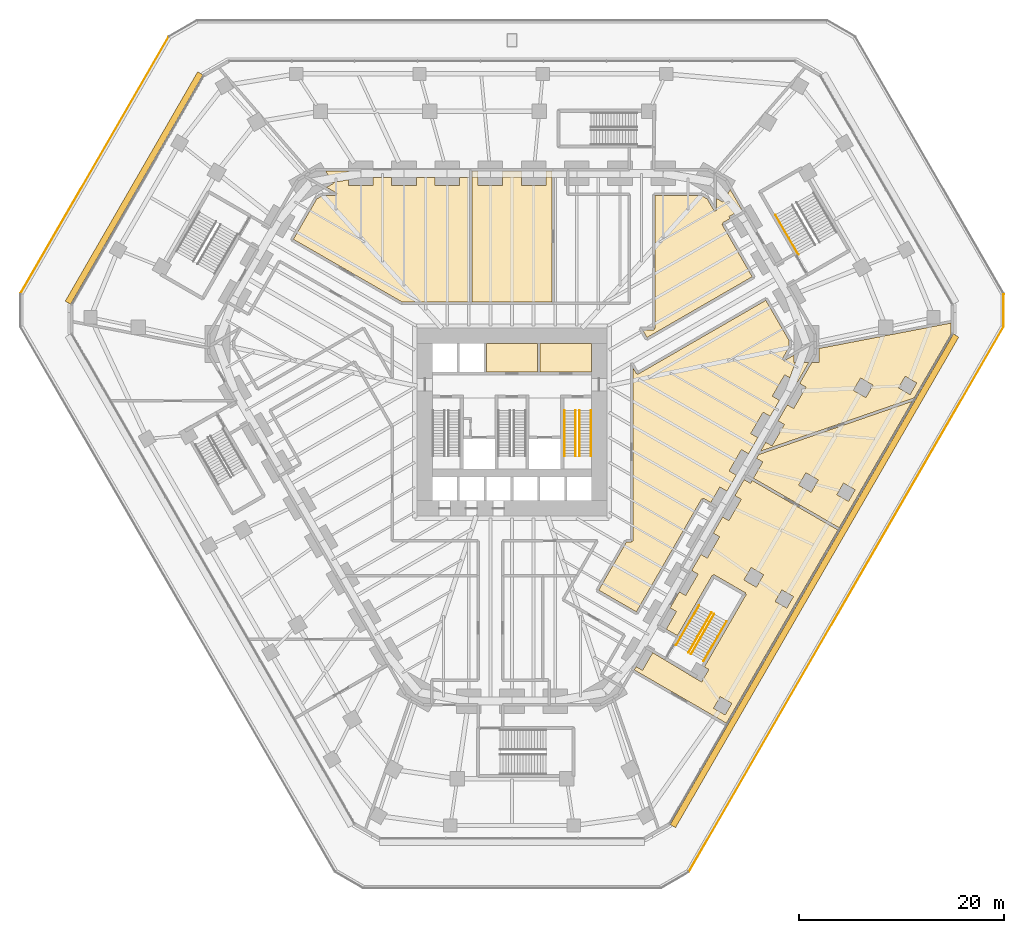
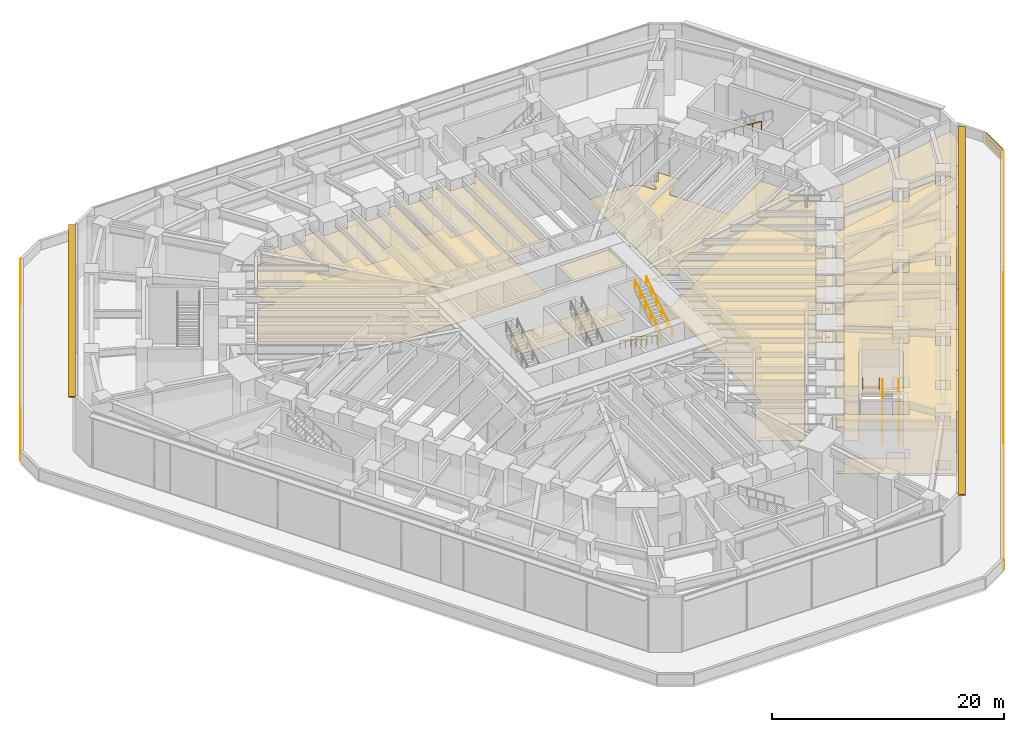
# One storey, part 24 of 25: 19 coverings, 9 railings, 2 shading devices.
"""IFC4 building model written with IfcOpenShell, lengths in metres."""

from ifc_helpers import new_model, si_unit, direction, frame, frame_2d, origin, origin_2d, place, context, subcontext, project, spatial, polyline, rectangle, circle, outline, extrude, material, layer, layer_set, type_object, element, save


model = new_model("IFC4")

# Units and contexts
model_context = context("Model", 3, precision=1e-05, world=origin(), true_north=direction((0.0, 1.0)))
body_context = subcontext(model_context, "Body", "Model", "MODEL_VIEW")
ifc_project = project(units=[si_unit("LENGTHUNIT", "METRE"), si_unit("AREAUNIT", "SQUARE_METRE"), si_unit("VOLUMEUNIT", "CUBIC_METRE"), si_unit("PLANEANGLEUNIT", "RADIAN"), si_unit("MASSUNIT", "GRAM", prefix="KILO")], contexts=[model_context])

# Site, building, storey
site_placement = place(None, origin())
site = spatial("IfcSite", under=ifc_project, at=site_placement, CompositionType="ELEMENT")
building_placement = place(site_placement, origin())
building = spatial("IfcBuilding", under=site, at=building_placement, Name="Sandreach Pilgrim Tower", CompositionType="ELEMENT")
storey_placement = place(building_placement, frame((0.0, 0.0, 6.0)))
storey = spatial("IfcBuildingStorey", under=building, at=storey_placement, Name="L01", CompositionType="ELEMENT", Elevation=6.0)

# Coverings
ifc_material_1 = material(Name="Acoustic mineral fibre tile ceiling on a suspension grid", Category="mineral")
ifc_layer_1 = layer(ifc_material_1, 0.02001953125)
ifc_layer_set_1 = layer_set([ifc_layer_1], Name="Acoustic mineral tile ceiling")
covering_type_1 = type_object("IfcCoveringType", Name="Acoustic mineral tile ceiling", PredefinedType="CEILING", material=ifc_layer_set_1)
covering_1_placement = place(storey_placement, frame((0.0, 0.0, 4.64990234375)))
element("IfcCovering", 1, at=covering_1_placement, inside=storey, type_object=covering_type_1, Name="Ceiling 01B2 Worshippers' foyer", PredefinedType="CEILING", context=body_context, shape_type="SweptSolid", body=[
    extrude(outline(polyline([(-15.934814453125, 22.072265625), (-15.934814453125, 21.48876953125), (-13.53466796875, 21.48876953125), (-13.53466796875, 22.288818359375), (-11.724853515625, 22.288818359375), (-11.724853515625, 21.48876953125), (-9.32470703125, 21.48876953125), (-9.32470703125, 22.288818359375), (-7.514892578125, 22.288818359375), (-7.514892578125, 21.48876953125), (-5.114990234375, 21.48876953125), (-5.114990234375, 22.288818359375), (-4.125, 22.288818359375), (-4.125, 10.14501953125), (-10.696533203125, 10.14501953125), (-21.309326171875, 16.265869140625), (-19.038330078125, 20.19873046875), (-18.476318359375, 20.52490234375), (-17.139892578125, 20.52490234375), (-17.07763671875, 20.75830078125), (-18.075439453125, 21.3330078125), (-17.447509765625, 21.695556640625), (-17.505859375, 21.796875), (-15.934814453125, 22.072265625)])), origin(), (0.0, 0.0, 1.0), 0.02001953125),
])
covering_2_placement = place(storey_placement, frame((0.0, 0.0, 4.60009765625)))
element("IfcCovering", 2, at=covering_2_placement, inside=storey, type_object=covering_type_1, Name="Ceiling 01B6 Quran library and reading room", PredefinedType="CEILING", context=body_context, shape_type="SweptSolid", body=[
    extrude(outline(polyline([(11.635009765625, -13.1201171875), (11.794921875, -13.1201171875), (11.794921875, 3.737548828125), (12.1220703125, 3.177001953125), (12.29248046875, 3.1318359375), (24.744140625, 10.3193359375), (27.014892578125, 6.386474609375), (27.014892578125, 5.74365234375), (26.341796875, 4.582763671875), (26.5126953125, 4.411865234375), (27.5126953125, 4.9912109375), (27.5126953125, 4.26220703125), (27.629638671875, 4.26220703125), (27.08251953125, 2.763671875), (26.5771484375, 3.055419921875), (25.377197265625, 0.97705078125), (26.070068359375, 0.5771484375), (25.1650390625, -0.990478515625), (24.47216796875, -0.59033203125), (23.272216796875, -2.6689453125), (23.965087890625, -3.06884765625), (23.06005859375, -4.63623046875), (22.3671875, -4.236328125), (21.167236328125, -6.314697265625), (21.860107421875, -6.71484375), (20.955078125, -8.2822265625), (20.26220703125, -7.882080078125), (19.3876953125, -9.39697265625), (18.662109375, -8.9814453125), (18.601318359375, -9.087890625), (18.49169921875, -9.027587890625), (12.124267578125, -20.04931640625), (8.45068359375, -17.93408203125), (11.15234375, -13.2451171875), (11.635009765625, -13.2451171875), (11.635009765625, -13.1201171875)])), origin(), (0.0, 0.0, 1.0), 0.02001953125),
])
ifc_material_2 = material(Name="Nylon carpet tile on the slab", Category="textile")
ifc_layer_2 = layer(ifc_material_2, 0.008056640625)
ifc_layer_set_2 = layer_set([ifc_layer_2], Name="Carpet tile")
covering_type_2 = type_object("IfcCoveringType", Name="Carpet tile", PredefinedType="FLOORING", material=ifc_layer_set_2)
covering_3_placement = place(storey_placement, origin())
element("IfcCovering", 3, at=covering_3_placement, inside=storey, type_object=covering_type_2, Name="Floor finish 0103 Pilgrim registration office", PredefinedType="FLOORING", context=body_context, shape_type="SweptSolid", body=[
    extrude(outline(polyline([(13.71142578125, -24.028564453125), (17.284912109375, -26.16357421875), (17.2744140625, -26.181884765625), (18.48681640625, -26.8818359375), (19.186767578125, -25.66943359375), (18.751953125, -25.418212890625), (22.805419921875, -18.397216796875), (22.75048828125, -18.1923828125), (19.719482421875, -16.4423828125), (19.695068359375, -16.484375), (19.60791015625, -16.435546875), (19.55712890625, -16.521728515625), (19.5146484375, -16.497314453125), (16.126708984375, -22.365234375), (15.037109375, -21.732421875), (16.02587890625, -20.019775390625), (15.409423828125, -19.6640625), (16.315185546875, -18.096923828125), (16.930908203125, -18.452392578125), (18.130859375, -16.3740234375), (17.515869140625, -16.01904296875), (18.420166015625, -14.451171875), (19.03564453125, -14.806640625), (20.23583984375, -12.72802734375), (19.619140625, -12.3720703125), (20.523193359375, -10.80419921875), (21.140625, -11.16064453125), (22.3408203125, -9.082275390625), (21.72216796875, -8.72509765625), (22.62646484375, -7.1572265625), (23.24560546875, -7.5146484375), (23.4052734375, -7.23828125), (31.7705078125, -12.068115234375), (20.896728515625, -30.902099609375), (11.913330078125, -25.7099609375), (12.10107421875, -25.386474609375), (12.720947265625, -25.744140625), (13.71142578125, -24.028564453125)]), holes=[polyline([(26.784423828125, -19.684326171875), (27.4345703125, -18.558349609375), (26.30859375, -17.908447265625), (25.65869140625, -19.0341796875), (26.784423828125, -19.684326171875)]), polyline([(24.521484375, -16.42919921875), (23.30908203125, -15.729248046875), (22.609130859375, -16.941650390625), (23.821533203125, -17.6416015625), (24.521484375, -16.42919921875)]), polyline([(20.77490234375, -30.09326171875), (21.4248046875, -28.967529296875), (20.299072265625, -28.3173828125), (19.64892578125, -29.443359375), (20.77490234375, -30.09326171875)])]), origin(), (0.0, 0.0, 1.0), 0.008056640625),
])
covering_4_placement = place(storey_placement, origin())
element("IfcCovering", 4, at=covering_4_placement, inside=storey, type_object=covering_type_2, Name="Floor finish 01R1 Imam's office", PredefinedType="FLOORING", context=body_context, shape_type="SweptSolid", body=[
    extrude(outline(polyline([(3.875, 10.14501953125), (-3.875, 10.14501953125), (-3.875, 22.925048828125), (-3.304931640625, 22.925048828125), (-3.304931640625, 21.48876953125), (-0.905029296875, 21.48876953125), (-0.905029296875, 22.925048828125), (0.905029296875, 22.925048828125), (0.905029296875, 21.48876953125), (3.304931640625, 21.48876953125), (3.304931640625, 22.925048828125), (3.875, 22.925048828125), (3.875, 10.14501953125)])), origin(), (0.0, 0.0, 1.0), 0.008056640625),
])
covering_5_placement = place(storey_placement, origin())
element("IfcCovering", 5, at=covering_5_placement, inside=storey, type_object=covering_type_2, Name="Floor finish 01B6 Quran library and reading room", PredefinedType="FLOORING", context=body_context, shape_type="SweptSolid", body=[
    extrude(outline(polyline([(11.635009765625, -13.1201171875), (11.794921875, -13.1201171875), (11.794921875, 3.737548828125), (12.1220703125, 3.177001953125), (12.29248046875, 3.1318359375), (24.744140625, 10.3193359375), (27.014892578125, 6.386474609375), (27.014892578125, 5.74365234375), (26.341796875, 4.582763671875), (26.5126953125, 4.411865234375), (27.5126953125, 4.9912109375), (27.5126953125, 4.26220703125), (28.934326171875, 4.26220703125), (27.821533203125, 2.337158203125), (26.5771484375, 3.055419921875), (25.377197265625, 0.97705078125), (26.620361328125, 0.25927734375), (25.714599609375, -1.3076171875), (24.47216796875, -0.59033203125), (23.272216796875, -2.6689453125), (24.513427734375, -3.385498046875), (23.849365234375, -4.5517578125), (23.6142578125, -4.956298828125), (22.3671875, -4.236328125), (21.167236328125, -6.314697265625), (22.409912109375, -7.0322265625), (21.505615234375, -8.60009765625), (20.26220703125, -7.882080078125), (19.3876953125, -9.39697265625), (18.662109375, -8.9814453125), (18.601318359375, -9.087890625), (18.49169921875, -9.027587890625), (12.124267578125, -20.04931640625), (8.45068359375, -17.93408203125), (11.15234375, -13.2451171875), (11.635009765625, -13.2451171875), (11.635009765625, -13.1201171875)])), origin(), (0.0, 0.0, 1.0), 0.008056640625),
])
covering_6_placement = place(storey_placement, origin())
element("IfcCovering", 6, at=covering_6_placement, inside=storey, type_object=covering_type_2, Name="Floor finish 01N4 Visa and documents interview office", PredefinedType="FLOORING", context=body_context, shape_type="SweptSolid", body=[
    extrude(outline(polyline([(25.3505859375, -3.868896484375), (26.550537109375, -1.790283203125), (25.93115234375, -1.4326171875), (26.8369140625, 0.13427734375), (27.45556640625, -0.222900390625), (28.655517578125, 1.85546875), (28.0380859375, 2.212158203125), (29.22314453125, 4.26220703125), (29.91259765625, 4.26220703125), (29.91259765625, 5.62451171875), (37.026611328125, 6.994384765625), (37.143310546875, 6.994384765625), (37.143310546875, 7.016845703125), (42.79541015625, 8.105224609375), (42.79541015625, 7.02734375), (39.20361328125, 0.80615234375), (24.2236328125, -4.38623046875), (24.72998046875, -3.510498046875), (25.3505859375, -3.868896484375)]), holes=[polyline([(39.453857421875, 2.259765625), (38.328125, 2.90966796875), (37.677978515625, 1.783935546875), (38.803955078125, 1.1337890625), (39.453857421875, 2.259765625)]), polyline([(35.191162109375, 2.051025390625), (33.978515625, 2.7509765625), (33.278564453125, 1.53857421875), (34.490966796875, 0.83837890625), (35.191162109375, 2.051025390625)])]), origin(), (0.0, 0.0, 1.0), 0.008056640625),
])
covering_7_placement = place(storey_placement, origin())
element("IfcCovering", 7, at=covering_7_placement, inside=storey, type_object=covering_type_2, Name="Floor finish 01N6 Registration records office", PredefinedType="FLOORING", context=body_context, shape_type="SweptSolid", body=[
    extrude(outline(polyline([(23.830810546875, -5.081298828125), (24.044677734375, -4.712890625), (39.0126953125, 0.475341796875), (31.8955078125, -11.8515625), (23.5302734375, -7.02197265625), (24.445556640625, -5.436279296875), (23.830810546875, -5.081298828125)]), holes=[polyline([(32.794189453125, -9.275146484375), (33.444091796875, -8.1494140625), (32.318359375, -7.49951171875), (31.66845703125, -8.625244140625), (32.794189453125, -9.275146484375)]), polyline([(29.15625, -8.401611328125), (29.856201171875, -7.189208984375), (28.643798828125, -6.4892578125), (27.94384765625, -7.70166015625), (29.15625, -8.401611328125)])]), origin(), (0.0, 0.0, 1.0), 0.008056640625),
])
covering_8_placement = place(storey_placement, origin())
element("IfcCovering", 8, at=covering_8_placement, inside=storey, type_object=covering_type_2, Name="Floor finish 01K2 IT room", PredefinedType="FLOORING", context=body_context, shape_type="SweptSolid", body=[
    extrude(outline(polyline([(2.75, 6.10009765625), (7.75, 6.10009765625), (7.75, 3.35009765625), (2.75, 3.35009765625), (2.75, 6.10009765625)])), origin(), (0.0, 0.0, 1.0), 0.008056640625),
])
ifc_material_3 = material(Name="Epoxy resin floor on the slab", Category="plastic")
ifc_layer_3 = layer(ifc_material_3, 0.00390625)
ifc_layer_set_3 = layer_set([ifc_layer_3], Name="Epoxy resin floor")
covering_type_3 = type_object("IfcCoveringType", Name="Epoxy resin floor", PredefinedType="FLOORING", material=ifc_layer_set_3)
covering_9_placement = place(storey_placement, origin())
element("IfcCovering", 9, at=covering_9_placement, inside=storey, type_object=covering_type_3, Name="Floor finish 01B1 Shoe store", PredefinedType="FLOORING", context=body_context, shape_type="SweptSolid", body=[
    extrude(outline(polyline([(13.830078125, 7.570068359375), (13.955078125, 7.570068359375), (13.955078125, 20.52490234375), (18.476318359375, 20.52490234375), (19.03857421875, 20.198486328125), (19.721923828125, 19.017333984375), (19.955078125, 19.080810546875), (19.948486328125, 20.251708984375), (20.565185546875, 19.8955078125), (21.273193359375, 21.121826171875), (22.392578125, 19.189453125), (21.148681640625, 18.47119140625), (21.254638671875, 18.287841796875), (20.525146484375, 17.866943359375), (20.56640625, 17.746337890625), (20.481689453125, 17.697509765625), (23.419189453125, 12.61572265625), (13.155517578125, 6.690673828125), (12.71728515625, 7.445068359375), (13.830078125, 7.445068359375), (13.830078125, 7.570068359375)])), origin(), (0.0, 0.0, 1.0), 0.00390625),
])
covering_10_placement = place(storey_placement, origin())
element("IfcCovering", 10, at=covering_10_placement, inside=storey, type_object=covering_type_3, Name="Floor finish 01K1 Mail and parcel store", PredefinedType="FLOORING", context=body_context, shape_type="SweptSolid", body=[
    extrude(outline(polyline([(-2.5, 6.10009765625), (2.5, 6.10009765625), (2.5, 3.35009765625), (-2.5, 3.35009765625), (-2.5, 6.10009765625)])), origin(), (0.0, 0.0, 1.0), 0.00390625),
])
ifc_material_4 = material(Name="Gypsum board suspended ceiling on a steel grid", Category="steel")
ifc_layer_4 = layer(ifc_material_4, 0.012939453125)
ifc_layer_set_4 = layer_set([ifc_layer_4], Name="Gypsum board suspended ceiling")
covering_type_4 = type_object("IfcCoveringType", Name="Gypsum board suspended ceiling", PredefinedType="CEILING", material=ifc_layer_set_4)
covering_11_placement = place(storey_placement, frame((0.0, 0.0, 4.64990234375)))
element("IfcCovering", 11, at=covering_11_placement, inside=storey, type_object=covering_type_4, Name="Ceiling 0103 Pilgrim registration office", PredefinedType="CEILING", context=body_context, shape_type="SweptSolid", body=[
    extrude(outline(polyline([(13.71142578125, -24.028564453125), (17.284912109375, -26.16357421875), (17.2744140625, -26.181884765625), (18.48681640625, -26.8818359375), (19.186767578125, -25.66943359375), (18.751953125, -25.418212890625), (22.805419921875, -18.397216796875), (22.75048828125, -18.1923828125), (19.719482421875, -16.4423828125), (19.695068359375, -16.484375), (19.60791015625, -16.435546875), (19.55712890625, -16.521728515625), (19.5146484375, -16.497314453125), (16.126708984375, -22.365234375), (15.037109375, -21.732421875), (16.02587890625, -20.019775390625), (15.409423828125, -19.6640625), (16.315185546875, -18.096923828125), (16.930908203125, -18.452392578125), (18.130859375, -16.3740234375), (17.515869140625, -16.01904296875), (18.420166015625, -14.451171875), (19.03564453125, -14.806640625), (20.23583984375, -12.72802734375), (19.619140625, -12.3720703125), (20.523193359375, -10.80419921875), (21.140625, -11.16064453125), (22.3408203125, -9.082275390625), (21.72216796875, -8.72509765625), (22.62646484375, -7.1572265625), (23.24560546875, -7.5146484375), (23.4052734375, -7.23828125), (31.7705078125, -12.068115234375), (20.896728515625, -30.902099609375), (11.913330078125, -25.7099609375), (12.10107421875, -25.386474609375), (12.720947265625, -25.744140625), (13.71142578125, -24.028564453125)]), holes=[polyline([(27.4345703125, -18.558349609375), (26.30859375, -17.908447265625), (25.65869140625, -19.0341796875), (26.784423828125, -19.684326171875), (27.4345703125, -18.558349609375)]), polyline([(23.821533203125, -17.6416015625), (24.521484375, -16.42919921875), (23.30908203125, -15.729248046875), (22.609130859375, -16.941650390625), (23.821533203125, -17.6416015625)]), polyline([(21.4248046875, -28.967529296875), (20.299072265625, -28.3173828125), (19.64892578125, -29.443359375), (20.77490234375, -30.09326171875), (21.4248046875, -28.967529296875)])]), origin(), (0.0, 0.0, 1.0), 0.01318359375),
])
covering_12_placement = place(storey_placement, frame((0.0, 0.0, 4.949951171875)))
element("IfcCovering", 12, at=covering_12_placement, inside=storey, type_object=covering_type_4, Name="Ceiling 01R1 Imam's office", PredefinedType="CEILING", context=body_context, shape_type="SweptSolid", body=[
    extrude(outline(polyline([(0.905029296875, 21.48876953125), (3.304931640625, 21.48876953125), (3.304931640625, 22.288818359375), (3.875, 22.288818359375), (3.875, 10.14501953125), (-3.875, 10.14501953125), (-3.875, 22.288818359375), (-3.304931640625, 22.288818359375), (-3.304931640625, 21.48876953125), (-0.905029296875, 21.48876953125), (-0.905029296875, 22.288818359375), (0.905029296875, 22.288818359375), (0.905029296875, 21.48876953125)])), origin(), (0.0, 0.0, 1.0), 0.012939453125),
])
covering_13_placement = place(storey_placement, frame((0.0, 0.0, 4.64990234375)))
element("IfcCovering", 13, at=covering_13_placement, inside=storey, type_object=covering_type_4, Name="Ceiling 01N4 Visa and documents interview office", PredefinedType="CEILING", context=body_context, shape_type="SweptSolid", body=[
    extrude(outline(polyline([(26.550537109375, -1.790283203125), (25.93115234375, -1.4326171875), (26.8369140625, 0.13427734375), (27.45556640625, -0.222900390625), (28.655517578125, 1.85546875), (28.0380859375, 2.212158203125), (29.22314453125, 4.26220703125), (29.91259765625, 4.26220703125), (29.91259765625, 5.62451171875), (37.026611328125, 6.994384765625), (37.143310546875, 6.994384765625), (37.143310546875, 7.016845703125), (42.79541015625, 8.105224609375), (42.79541015625, 7.02734375), (39.20361328125, 0.80615234375), (24.2236328125, -4.38623046875), (24.72998046875, -3.510498046875), (25.3505859375, -3.868896484375), (26.550537109375, -1.790283203125)]), holes=[polyline([(38.803955078125, 1.1337890625), (39.453857421875, 2.259765625), (38.328125, 2.90966796875), (37.677978515625, 1.783935546875), (38.803955078125, 1.1337890625)]), polyline([(34.490966796875, 0.83837890625), (35.191162109375, 2.051025390625), (33.978515625, 2.7509765625), (33.278564453125, 1.53857421875), (34.490966796875, 0.83837890625)])]), origin(), (0.0, 0.0, 1.0), 0.01318359375),
])
covering_14_placement = place(storey_placement, frame((0.0, 0.0, 4.64990234375)))
element("IfcCovering", 14, at=covering_14_placement, inside=storey, type_object=covering_type_4, Name="Ceiling 01N6 Registration records office", PredefinedType="CEILING", context=body_context, shape_type="SweptSolid", body=[
    extrude(outline(polyline([(23.5302734375, -7.02197265625), (24.445556640625, -5.436279296875), (23.830810546875, -5.081298828125), (24.044677734375, -4.712890625), (39.0126953125, 0.475341796875), (31.8955078125, -11.8515625), (23.5302734375, -7.02197265625)]), holes=[polyline([(33.444091796875, -8.1494140625), (32.318359375, -7.49951171875), (31.66845703125, -8.625244140625), (32.794189453125, -9.275146484375), (33.444091796875, -8.1494140625)]), polyline([(29.15625, -8.401611328125), (29.856201171875, -7.189208984375), (28.643798828125, -6.4892578125), (27.94384765625, -7.70166015625), (29.15625, -8.401611328125)])]), origin(), (0.0, 0.0, 1.0), 0.01318359375),
])
covering_15_placement = place(storey_placement, frame((0.0, 0.0, 5.699951171875)))
element("IfcCovering", 15, at=covering_15_placement, inside=storey, type_object=covering_type_4, Name="Ceiling 01K2 IT room", PredefinedType="CEILING", context=body_context, shape_type="SweptSolid", body=[
    extrude(outline(polyline([(2.75, 6.10009765625), (7.75, 6.10009765625), (7.75, 3.35009765625), (2.75, 3.35009765625), (2.75, 6.10009765625)])), origin(), (0.0, 0.0, 1.0), 0.012939453125),
])

# Shading devices
ifc_material_5 = material(Name="Extruded aluminium sunshade blade, powder coated", Category="aluminium")
ifc_layer_5 = layer(ifc_material_5, 0.10009765625)
ifc_layer_set_5 = layer_set([ifc_layer_5], Name="Podium sunshade 600")
shading_device_type = type_object("IfcShadingDeviceType", Name="Podium sunshade 600", PredefinedType="AWNING", material=ifc_layer_set_5)
shading_device_1_placement = place(storey_placement, frame((29.486572265625, -17.024169921875, 5.64990234375), z_axis=(0.0, 0.0, 1.0), x_axis=(-0.500000000015, -0.866025403776, 0.0)))
element("IfcShadingDevice", 16, at=shading_device_1_placement, inside=storey, type_object=shading_device_type, Name="Sunshade L01 SE over SE", PredefinedType="AWNING", context=body_context, shape_type="SweptSolid", body=[
    extrude(rectangle(XDim=55.220458984375, YDim=0.60009765625, at=origin_2d()), origin(), (0.0, 0.0, 1.0), 0.10009765625),
])
shading_device_2_placement = place(storey_placement, frame((-36.836669921875, 21.267578125, 5.64990234375), z_axis=(0.0, 0.0, 1.0), x_axis=(0.500000000015, 0.866025403776, 0.0)))
element("IfcShadingDevice", 17, at=shading_device_2_placement, inside=storey, type_object=shading_device_type, Name="Sunshade L01 NW over NW", PredefinedType="AWNING", context=body_context, shape_type="SweptSolid", body=[
    extrude(rectangle(XDim=25.8203125, YDim=0.60009765625, at=origin_2d()), origin(), (0.0, 0.0, 1.0), 0.10009765625),
])

# Railings
ifc_material_6 = material(Name="Stainless steel tube", Category="steel")
railing_type = type_object("IfcRailingType", Name="Stair handrail", PredefinedType="HANDRAIL", material=ifc_material_6)
for number, where, name in (
    (18, (6.199951171875, -0.39990234375, 0.176513671875), "Handrail ST2 L01 flight 1"),
    (19, (5.10009765625, -0.39990234375, 0.176513671875), "Handrail ST2 L01 flight 1"),
):
    element("IfcRailing", number, at=place(storey_placement, frame(where)), inside=storey, type_object=railing_type, Name=name, PredefinedType="HANDRAIL", context=body_context, shape_type="SweptSolid", body=[
        extrude(circle(Radius=0.02392578125, at=origin_2d()), frame((0.0, 0.0, 0.8759765625), z_axis=(0.0, -0.845997938375, 0.533186166611), x_axis=(1.0, 0.0, 0.0)), (0.0, 0.0, 1.0), 5.29541015625),
        extrude(circle(Radius=0.02099609375, at=origin_2d()), origin(), (0.0, 0.0, 1.0), 0.851806640625),
        extrude(circle(Radius=0.02099609375, at=origin_2d()), frame((0.0, -0.89599609375, 0.564697265625)), (0.0, 0.0, 1.0), 0.851806640625),
        extrude(circle(Radius=0.02099609375, at=origin_2d()), frame((0.0, -1.7919921875, 1.12939453125)), (0.0, 0.0, 1.0), 0.851806640625),
        extrude(circle(Radius=0.02099609375, at=origin_2d()), frame((0.0, -2.68798828125, 1.694091796875)), (0.0, 0.0, 1.0), 0.851806640625),
        extrude(circle(Radius=0.02099609375, at=origin_2d()), frame((0.0, -3.583984375, 2.2587890625)), (0.0, 0.0, 1.0), 0.851806640625),
        extrude(circle(Radius=0.02099609375, at=origin_2d()), frame((0.0, -4.47998046875, 2.823486328125)), (0.0, 0.0, 1.0), 0.851806640625),
    ])
for number, where, name in (
    (20, (6.60009765625, -4.8798828125, 3.176513671875), "Handrail ST2 L01 flight 2"),
    (21, (7.699951171875, -4.8798828125, 3.176513671875), "Handrail ST2 L01 flight 2"),
):
    element("IfcRailing", number, at=place(storey_placement, frame(where)), inside=storey, type_object=railing_type, Name=name, PredefinedType="HANDRAIL", context=body_context, shape_type="SweptSolid", body=[
        extrude(circle(Radius=0.02392578125, at=origin_2d()), frame((0.0, 0.0, 0.8759765625), z_axis=(0.0, 0.845997938375, 0.533186166611), x_axis=(-1.0, 0.0, 0.0)), (0.0, 0.0, 1.0), 5.29541015625),
        extrude(circle(Radius=0.02099609375, at=origin_2d()), origin(), (0.0, 0.0, 1.0), 0.851806640625),
        extrude(circle(Radius=0.02099609375, at=origin_2d()), frame((0.0, 0.89599609375, 0.564697265625)), (0.0, 0.0, 1.0), 0.851806640625),
        extrude(circle(Radius=0.02099609375, at=origin_2d()), frame((0.0, 1.7919921875, 1.12939453125)), (0.0, 0.0, 1.0), 0.851806640625),
        extrude(circle(Radius=0.02099609375, at=origin_2d()), frame((0.0, 2.68798828125, 1.694091796875)), (0.0, 0.0, 1.0), 0.851806640625),
        extrude(circle(Radius=0.02099609375, at=origin_2d()), frame((0.0, 3.583984375, 2.2587890625)), (0.0, 0.0, 1.0), 0.851806640625),
        extrude(circle(Radius=0.02099609375, at=origin_2d()), frame((0.0, 4.47998046875, 2.823486328125)), (0.0, 0.0, 1.0), 0.851806640625),
    ])
railing_1_placement = place(storey_placement, frame((25.673095703125, 18.654541015625, 3.176513671875)))
element("IfcRailing", 22, at=railing_1_placement, inside=storey, type_object=railing_type, Name="Handrail ST4 L01 flight 2", PredefinedType="HANDRAIL", context=body_context, shape_type="SweptSolid", body=[
    extrude(circle(Radius=0.02392578125, at=origin_2d()), frame((0.0, 0.0, 0.8759765625), z_axis=(0.423007058581, -0.732643615031, 0.533196363214), x_axis=(0.866017690131, 0.500013360201, 0.0)), (0.0, 0.0, 1.0), 5.29541015625),
    extrude(circle(Radius=0.02099609375, at=origin_2d()), origin(), (0.0, 0.0, 1.0), 0.851806640625),
    extrude(circle(Radius=0.02099609375, at=origin_2d()), frame((0.447998046875, -0.77587890625, 0.564697265625)), (0.0, 0.0, 1.0), 0.851806640625),
    extrude(circle(Radius=0.02099609375, at=origin_2d()), frame((0.89599609375, -1.5517578125, 1.12939453125)), (0.0, 0.0, 1.0), 0.851806640625),
    extrude(circle(Radius=0.02099609375, at=origin_2d()), frame((1.343994140625, -2.327880859375, 1.694091796875)), (0.0, 0.0, 1.0), 0.851806640625),
    extrude(circle(Radius=0.02099609375, at=origin_2d()), frame((1.7919921875, -3.103759765625, 2.2587890625)), (0.0, 0.0, 1.0), 0.851806640625),
    extrude(circle(Radius=0.02099609375, at=origin_2d()), frame((2.239990234375, -3.879638671875, 2.823486328125)), (0.0, 0.0, 1.0), 0.851806640625),
])
railing_2_placement = place(storey_placement, frame((17.46484375, -24.147216796875, 0.176513671875)))
element("IfcRailing", 23, at=railing_2_placement, inside=storey, type_object=railing_type, Name="Handrail ST8 L01 flight 1", PredefinedType="HANDRAIL", context=body_context, shape_type="SweptSolid", body=[
    extrude(circle(Radius=0.02392578125, at=origin_2d()), frame((0.0, 0.0, 0.8759765625), z_axis=(0.423007058581, 0.732643615031, 0.533196363214), x_axis=(-0.866017690131, 0.500013360201, 0.0)), (0.0, 0.0, 1.0), 5.29541015625),
    extrude(circle(Radius=0.02099609375, at=origin_2d()), origin(), (0.0, 0.0, 1.0), 0.851806640625),
    extrude(circle(Radius=0.02099609375, at=origin_2d()), frame((0.447998046875, 0.77587890625, 0.564697265625)), (0.0, 0.0, 1.0), 0.851806640625),
    extrude(circle(Radius=0.02099609375, at=origin_2d()), frame((0.89599609375, 1.5517578125, 1.12939453125)), (0.0, 0.0, 1.0), 0.851806640625),
    extrude(circle(Radius=0.02099609375, at=origin_2d()), frame((1.343994140625, 2.327880859375, 1.694091796875)), (0.0, 0.0, 1.0), 0.851806640625),
    extrude(circle(Radius=0.02099609375, at=origin_2d()), frame((1.7919921875, 3.103759765625, 2.2587890625)), (0.0, 0.0, 1.0), 0.851806640625),
    extrude(circle(Radius=0.02099609375, at=origin_2d()), frame((2.239990234375, 3.879638671875, 2.823486328125)), (0.0, 0.0, 1.0), 0.851806640625),
])
railing_3_placement = place(storey_placement, frame((18.67724609375, -24.847412109375, 0.176513671875)))
element("IfcRailing", 24, at=railing_3_placement, inside=storey, type_object=railing_type, Name="Handrail ST8 L01 flight 1", PredefinedType="HANDRAIL", context=body_context, shape_type="SweptSolid", body=[
    extrude(circle(Radius=0.02392578125, at=origin_2d()), frame((0.0, 0.0, 0.8759765625), z_axis=(0.42299277051, 0.732664971003, 0.533178353237), x_axis=(-0.866031314237, 0.499989762656, 0.0)), (0.0, 0.0, 1.0), 5.295654296875),
    extrude(circle(Radius=0.02099609375, at=origin_2d()), origin(), (0.0, 0.0, 1.0), 0.851806640625),
    extrude(circle(Radius=0.02099609375, at=origin_2d()), frame((0.447998046875, 0.77587890625, 0.564697265625)), (0.0, 0.0, 1.0), 0.851806640625),
    extrude(circle(Radius=0.02099609375, at=origin_2d()), frame((0.89599609375, 1.552001953125, 1.12939453125)), (0.0, 0.0, 1.0), 0.851806640625),
    extrude(circle(Radius=0.02099609375, at=origin_2d()), frame((1.343994140625, 2.327880859375, 1.694091796875)), (0.0, 0.0, 1.0), 0.851806640625),
    extrude(circle(Radius=0.02099609375, at=origin_2d()), frame((1.7919921875, 3.10400390625, 2.2587890625)), (0.0, 0.0, 1.0), 0.851806640625),
    extrude(circle(Radius=0.02099609375, at=origin_2d()), frame((2.239990234375, 3.8798828125, 2.823486328125)), (0.0, 0.0, 1.0), 0.851806640625),
])
for number, where, name in (
    (25, (19.445068359375, -20.117431640625, 3.176513671875), "Handrail ST8 L01 flight 2"),
    (26, (18.232666015625, -19.41748046875, 3.176513671875), "Handrail ST8 L01 flight 2"),
):
    element("IfcRailing", number, at=place(storey_placement, frame(where)), inside=storey, type_object=railing_type, Name=name, PredefinedType="HANDRAIL", context=body_context, shape_type="SweptSolid", body=[
        extrude(circle(Radius=0.02392578125, at=origin_2d()), frame((0.0, 0.0, 0.8759765625), z_axis=(-0.42299277051, -0.732664971003, 0.533178353237), x_axis=(0.866031314237, -0.499989762656, 0.0)), (0.0, 0.0, 1.0), 5.295654296875),
        extrude(circle(Radius=0.02099609375, at=origin_2d()), origin(), (0.0, 0.0, 1.0), 0.851806640625),
        extrude(circle(Radius=0.02099609375, at=origin_2d()), frame((-0.447998046875, -0.77587890625, 0.564697265625)), (0.0, 0.0, 1.0), 0.851806640625),
        extrude(circle(Radius=0.02099609375, at=origin_2d()), frame((-0.89599609375, -1.552001953125, 1.12939453125)), (0.0, 0.0, 1.0), 0.851806640625),
        extrude(circle(Radius=0.02099609375, at=origin_2d()), frame((-1.343994140625, -2.327880859375, 1.694091796875)), (0.0, 0.0, 1.0), 0.851806640625),
        extrude(circle(Radius=0.02099609375, at=origin_2d()), frame((-1.7919921875, -3.10400390625, 2.2587890625)), (0.0, 0.0, 1.0), 0.851806640625),
        extrude(circle(Radius=0.02099609375, at=origin_2d()), frame((-2.239990234375, -3.8798828125, 2.823486328125)), (0.0, 0.0, 1.0), 0.851806640625),
    ])

# Coverings
ifc_material_7 = material(Name="Terracotta rainscreen panels on aluminium rails", Category="masonry")
ifc_layer_6 = layer(ifc_material_7, 0.050048828125)
ifc_layer_set_6 = layer_set([ifc_layer_6], Name="Terracotta rainscreen cladding 50")
covering_type_5 = type_object("IfcCoveringType", Name="Terracotta rainscreen cladding 50", PredefinedType="CLADDING", material=ifc_layer_set_6)
covering_16_placement = place(storey_placement, frame((-33.47265625, 36.00048828125, 0.0), z_axis=(0.0, 0.0, 1.0), x_axis=(-0.500005626994, -0.866022155013, 0.0)))
element("IfcCovering", 27, at=covering_16_placement, inside=storey, type_object=covering_type_5, Name="Rainscreen cladding on setback parapet l01 2", PredefinedType="CLADDING", context=body_context, shape_type="SweptSolid", body=[
    extrude(rectangle(XDim=28.882080078125, YDim=0.050048828125, at=frame_2d((14.44091796875, 0.0))), origin(), (0.0, 0.0, 1.0), 1.10009765625),
])
covering_17_placement = place(storey_placement, frame((17.246826171875, -45.366455078125, 0.0), z_axis=(0.0, 0.0, 1.0), x_axis=(0.499999154746, 0.866025891791, 0.0)))
element("IfcCovering", 28, at=covering_17_placement, inside=storey, type_object=covering_type_5, Name="Rainscreen cladding on setback parapet l01 8", PredefinedType="CLADDING", context=body_context, shape_type="SweptSolid", body=[
    extrude(rectangle(XDim=61.330078125, YDim=0.050048828125, at=frame_2d((30.6650390625, 0.0))), origin(), (0.0, 0.0, 1.0), 1.10009765625),
])
covering_18_placement = place(storey_placement, frame((47.93212890625, 7.822021484375, 0.0), z_axis=(0.0, 0.0, 1.0), x_axis=(0.000552922506, 0.999999847138, 0.0)))
element("IfcCovering", 29, at=covering_18_placement, inside=storey, type_object=covering_type_5, Name="Rainscreen cladding on setback parapet l01 9", PredefinedType="CLADDING", context=body_context, shape_type="SweptSolid", body=[
    extrude(rectangle(XDim=3.0908203125, YDim=0.050048828125, at=frame_2d((1.54541015625, 0.0))), origin(), (0.0, 0.0, 1.0), 1.10009765625),
])
ifc_material_8 = material(Name="Cement terrazzo, ground and polished", Category="terrazzo")
ifc_layer_7 = layer(ifc_material_8, 0.02490234375)
ifc_layer_set_7 = layer_set([ifc_layer_7], Name="Terrazzo")
covering_type_6 = type_object("IfcCoveringType", Name="Terrazzo", PredefinedType="FLOORING", material=ifc_layer_set_7)
covering_19_placement = place(storey_placement, origin())
element("IfcCovering", 30, at=covering_19_placement, inside=storey, type_object=covering_type_6, Name="Floor finish 01B2 Worshippers' foyer", PredefinedType="FLOORING", context=body_context, shape_type="SweptSolid", body=[
    extrude(outline(polyline([(-5.114990234375, 22.925048828125), (-4.125, 22.925048828125), (-4.125, 10.14501953125), (-10.696533203125, 10.14501953125), (-21.309326171875, 16.265869140625), (-19.038330078125, 20.19873046875), (-18.476318359375, 20.52490234375), (-17.139892578125, 20.52490234375), (-17.07763671875, 20.75830078125), (-18.075439453125, 21.3330078125), (-17.447509765625, 21.695556640625), (-18.1572265625, 22.925048828125), (-15.934814453125, 22.925048828125), (-15.934814453125, 21.48876953125), (-13.53466796875, 21.48876953125), (-13.53466796875, 22.925048828125), (-11.724853515625, 22.925048828125), (-11.724853515625, 21.48876953125), (-9.32470703125, 21.48876953125), (-9.32470703125, 22.925048828125), (-7.514892578125, 22.925048828125), (-7.514892578125, 21.48876953125), (-5.114990234375, 21.48876953125), (-5.114990234375, 22.925048828125)])), origin(), (0.0, 0.0, 1.0), 0.02490234375),
])

save(model, "model.ifc")
